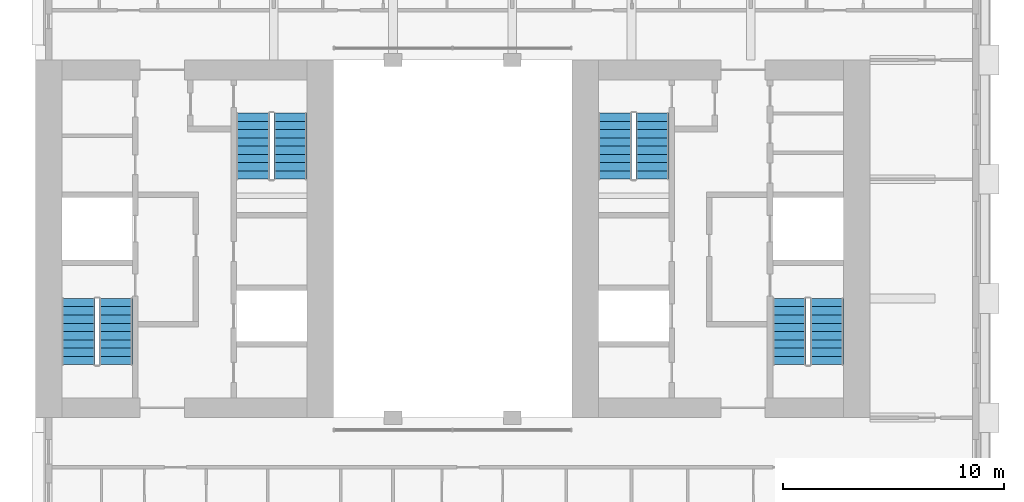
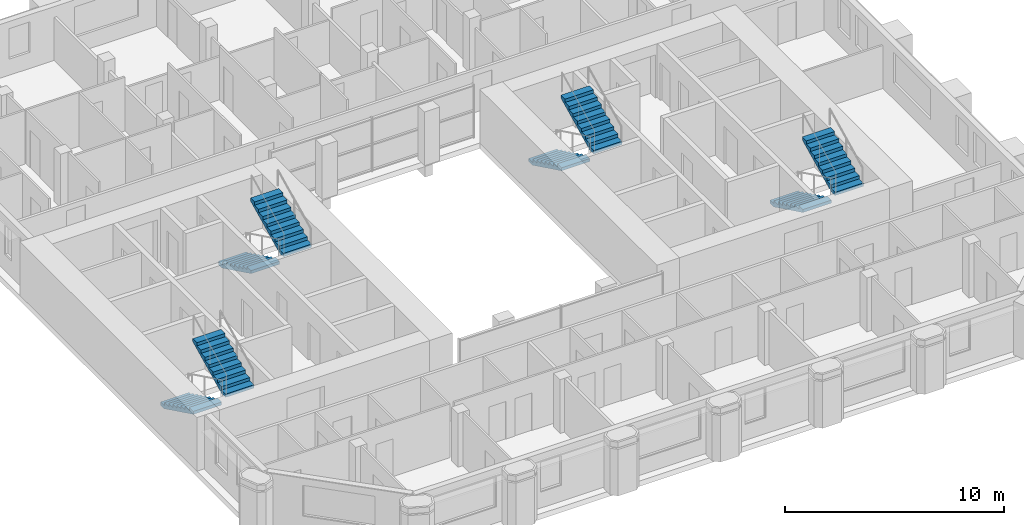
# One storey, part 10 of 13: 8 stair flights, 4 elements without a shape of their own.
"""IFC4 building model written with IfcOpenShell, lengths in metres."""

from ifc_helpers import new_model, si_unit, direction, frame, origin, place, context, subcontext, project, spatial, polyline, outline, extrude, material, type_object, element, aggregate, save


model = new_model("IFC4")

# Units and contexts
model_context = context("Model", 3, precision=1e-05, world=origin(), true_north=direction((0.0, 1.0)))
body_context = subcontext(model_context, "Body", "Model", "MODEL_VIEW")
ifc_project = project(units=[si_unit("LENGTHUNIT", "METRE"), si_unit("AREAUNIT", "SQUARE_METRE"), si_unit("VOLUMEUNIT", "CUBIC_METRE"), si_unit("PLANEANGLEUNIT", "RADIAN"), si_unit("MASSUNIT", "GRAM", prefix="KILO")], contexts=[model_context])

# Site, building, storey
site_placement = place(None, origin())
site = spatial("IfcSite", under=ifc_project, at=site_placement, CompositionType="ELEMENT")
building_placement = place(site_placement, origin())
building = spatial("IfcBuilding", under=site, at=building_placement, Name="Tabaq Tower and Sports Hall", CompositionType="ELEMENT")
storey_placement = place(building_placement, frame((0.0, 0.0, 295.0)))
storey = spatial("IfcBuildingStorey", under=building, at=storey_placement, Name="L73", CompositionType="ELEMENT", Elevation=295.0)

# Stair, stair flights
ifc_material_1 = material(Name="Concrete C40/50", Category="concrete")
stair_type = type_object("IfcStairType", Name="Exit stair", PredefinedType="HALF_TURN_STAIR", material=ifc_material_1)
stair_1_placement = place(storey_placement, origin())
stair_1 = element("IfcStair", 1, at=stair_1_placement, inside=storey, type_object=stair_type, Name="L73 Exit stair ST1", PredefinedType="HALF_TURN_STAIR")
ifc_material_2 = material(Name="Concrete C40/50", Category="concrete")
stair_flight_type = type_object("IfcStairFlightType", Name="Exit stair flight", PredefinedType="STRAIGHT", material=ifc_material_2)
stair_flight_1_placement = place(storey_placement, frame((7.35009765625, 21.60009765625, 0.0), z_axis=(0.0, 0.0, 1.0), x_axis=(0.0, -1.0, 0.0)))
stair_flight_1 = element("IfcStairFlight", 2, at=stair_flight_1_placement, type_object=stair_flight_type, Name="ST1 flight 1", NumberOfRisers=9, NumberOfTreads=8, PredefinedType="STRAIGHT", RiserHeight=0.183333333, TreadLength=0.375, context=body_context, shape_type="SweptSolid", body=[
    extrude(outline(polyline([(0.0, 0.0), (0.0, 0.183349609375), (0.375, 0.183349609375), (0.375, 0.36669921875), (0.75, 0.36669921875), (0.75, 0.550048828125), (1.125, 0.550048828125), (1.125, 0.7333984375), (1.5, 0.7333984375), (1.5, 0.916748046875), (1.875, 0.916748046875), (1.875, 1.10009765625), (2.25, 1.10009765625), (2.25, 1.283447265625), (2.625, 1.283447265625), (2.625, 1.466552734375), (3.0, 1.466552734375), (3.0, 1.64990234375), (3.0, 1.2998046875), (0.34130859375, 0.0), (0.0, 0.0)])), frame((0.0, 0.75, 0.0), z_axis=(0.0, -1.0, 0.0), x_axis=(1.0, 0.0, 0.0)), (0.0, 0.0, 1.0), 1.5),
])
stair_flight_2_placement = place(storey_placement, frame((9.050048828125, 18.60009765625, 1.64990234375), z_axis=(0.0, 0.0, 1.0), x_axis=(0.0, 1.0, 0.0)))
stair_flight_2 = element("IfcStairFlight", 3, at=stair_flight_2_placement, type_object=stair_flight_type, Name="ST1 flight 2", NumberOfRisers=9, NumberOfTreads=8, PredefinedType="STRAIGHT", RiserHeight=0.183333333, TreadLength=0.375, context=body_context, shape_type="SweptSolid", body=[
    extrude(outline(polyline([(0.0, 0.0), (0.0, 0.183349609375), (0.375, 0.183349609375), (0.375, 0.36669921875), (0.75, 0.36669921875), (0.75, 0.550048828125), (1.125, 0.550048828125), (1.125, 0.7333984375), (1.5, 0.7333984375), (1.5, 0.916748046875), (1.875, 0.916748046875), (1.875, 1.10009765625), (2.25, 1.10009765625), (2.25, 1.283447265625), (2.625, 1.283447265625), (2.625, 1.466552734375), (3.0, 1.466552734375), (3.0, 1.64990234375), (3.0, 1.2998046875), (0.34130859375, 0.0), (0.0, 0.0)])), frame((0.0, 0.75, 0.0), z_axis=(0.0, -1.0, 0.0), x_axis=(1.0, 0.0, 0.0)), (0.0, 0.0, 1.0), 1.5),
])
aggregate(stair_1, [stair_flight_1, stair_flight_2])

stair_2_placement = place(storey_placement, origin())
stair_2 = element("IfcStair", 4, at=stair_2_placement, inside=storey, type_object=stair_type, Name="L73 Exit stair ST2", PredefinedType="HALF_TURN_STAIR")
stair_flight_3_placement = place(storey_placement, frame((15.25, 30.0, 0.0), z_axis=(0.0, 0.0, 1.0), x_axis=(0.0, -1.0, 0.0)))
stair_flight_3 = element("IfcStairFlight", 5, at=stair_flight_3_placement, type_object=stair_flight_type, Name="ST2 flight 1", NumberOfRisers=9, NumberOfTreads=8, PredefinedType="STRAIGHT", RiserHeight=0.183333333, TreadLength=0.375, context=body_context, shape_type="SweptSolid", body=[
    extrude(outline(polyline([(0.0, 0.0), (0.0, 0.183349609375), (0.375, 0.183349609375), (0.375, 0.36669921875), (0.75, 0.36669921875), (0.75, 0.550048828125), (1.125, 0.550048828125), (1.125, 0.7333984375), (1.5, 0.7333984375), (1.5, 0.916748046875), (1.875, 0.916748046875), (1.875, 1.10009765625), (2.25, 1.10009765625), (2.25, 1.283447265625), (2.625, 1.283447265625), (2.625, 1.466552734375), (3.0, 1.466552734375), (3.0, 1.64990234375), (3.0, 1.2998046875), (0.34130859375, 0.0), (0.0, 0.0)])), frame((0.0, 0.75, 0.0), z_axis=(0.0, -1.0, 0.0), x_axis=(1.0, 0.0, 0.0)), (0.0, 0.0, 1.0), 1.5),
])
stair_flight_4_placement = place(storey_placement, frame((16.949951171875, 27.0, 1.64990234375), z_axis=(0.0, 0.0, 1.0), x_axis=(0.0, 1.0, 0.0)))
stair_flight_4 = element("IfcStairFlight", 6, at=stair_flight_4_placement, type_object=stair_flight_type, Name="ST2 flight 2", NumberOfRisers=9, NumberOfTreads=8, PredefinedType="STRAIGHT", RiserHeight=0.183333333, TreadLength=0.375, context=body_context, shape_type="SweptSolid", body=[
    extrude(outline(polyline([(0.0, 0.0), (0.0, 0.183349609375), (0.375, 0.183349609375), (0.375, 0.36669921875), (0.75, 0.36669921875), (0.75, 0.550048828125), (1.125, 0.550048828125), (1.125, 0.7333984375), (1.5, 0.7333984375), (1.5, 0.916748046875), (1.875, 0.916748046875), (1.875, 1.10009765625), (2.25, 1.10009765625), (2.25, 1.283447265625), (2.625, 1.283447265625), (2.625, 1.466552734375), (3.0, 1.466552734375), (3.0, 1.64990234375), (3.0, 1.2998046875), (0.34130859375, 0.0), (0.0, 0.0)])), frame((0.0, 0.75, 0.0), z_axis=(0.0, -1.0, 0.0), x_axis=(1.0, 0.0, 0.0)), (0.0, 0.0, 1.0), 1.5),
])
aggregate(stair_2, [stair_flight_3, stair_flight_4])

stair_3_placement = place(storey_placement, origin())
stair_3 = element("IfcStair", 7, at=stair_3_placement, inside=storey, type_object=stair_type, Name="L73 Exit stair ST3", PredefinedType="HALF_TURN_STAIR")
stair_flight_5_placement = place(storey_placement, frame((39.550048828125, 21.60009765625, 0.0), z_axis=(0.0, 0.0, 1.0), x_axis=(0.0, -1.0, 0.0)))
stair_flight_5 = element("IfcStairFlight", 8, at=stair_flight_5_placement, type_object=stair_flight_type, Name="ST3 flight 1", NumberOfRisers=9, NumberOfTreads=8, PredefinedType="STRAIGHT", RiserHeight=0.183333333, TreadLength=0.375, context=body_context, shape_type="SweptSolid", body=[
    extrude(outline(polyline([(0.0, 0.0), (0.0, 0.183349609375), (0.375, 0.183349609375), (0.375, 0.36669921875), (0.75, 0.36669921875), (0.75, 0.550048828125), (1.125, 0.550048828125), (1.125, 0.7333984375), (1.5, 0.7333984375), (1.5, 0.916748046875), (1.875, 0.916748046875), (1.875, 1.10009765625), (2.25, 1.10009765625), (2.25, 1.283447265625), (2.625, 1.283447265625), (2.625, 1.466552734375), (3.0, 1.466552734375), (3.0, 1.64990234375), (3.0, 1.2998046875), (0.34130859375, 0.0), (0.0, 0.0)])), frame((0.0, 0.75, 0.0), z_axis=(0.0, -1.0, 0.0), x_axis=(1.0, 0.0, 0.0)), (0.0, 0.0, 1.0), 1.5),
])
stair_flight_6_placement = place(storey_placement, frame((41.25, 18.60009765625, 1.64990234375), z_axis=(0.0, 0.0, 1.0), x_axis=(0.0, 1.0, 0.0)))
stair_flight_6 = element("IfcStairFlight", 9, at=stair_flight_6_placement, type_object=stair_flight_type, Name="ST3 flight 2", NumberOfRisers=9, NumberOfTreads=8, PredefinedType="STRAIGHT", RiserHeight=0.183333333, TreadLength=0.375, context=body_context, shape_type="SweptSolid", body=[
    extrude(outline(polyline([(0.0, 0.0), (0.0, 0.183349609375), (0.375, 0.183349609375), (0.375, 0.36669921875), (0.75, 0.36669921875), (0.75, 0.550048828125), (1.125, 0.550048828125), (1.125, 0.7333984375), (1.5, 0.7333984375), (1.5, 0.916748046875), (1.875, 0.916748046875), (1.875, 1.10009765625), (2.25, 1.10009765625), (2.25, 1.283447265625), (2.625, 1.283447265625), (2.625, 1.466552734375), (3.0, 1.466552734375), (3.0, 1.64990234375), (3.0, 1.2998046875), (0.34130859375, 0.0), (0.0, 0.0)])), frame((0.0, 0.75, 0.0), z_axis=(0.0, -1.0, 0.0), x_axis=(1.0, 0.0, 0.0)), (0.0, 0.0, 1.0), 1.5),
])
aggregate(stair_3, [stair_flight_5, stair_flight_6])

stair_4_placement = place(storey_placement, origin())
stair_4 = element("IfcStair", 10, at=stair_4_placement, inside=storey, type_object=stair_type, Name="L73 Exit stair ST4", PredefinedType="HALF_TURN_STAIR")
stair_flight_7_placement = place(storey_placement, frame((31.64990234375, 30.0, 0.0), z_axis=(0.0, 0.0, 1.0), x_axis=(0.0, -1.0, 0.0)))
stair_flight_7 = element("IfcStairFlight", 11, at=stair_flight_7_placement, type_object=stair_flight_type, Name="ST4 flight 1", NumberOfRisers=9, NumberOfTreads=8, PredefinedType="STRAIGHT", RiserHeight=0.183333333, TreadLength=0.375, context=body_context, shape_type="SweptSolid", body=[
    extrude(outline(polyline([(0.0, 0.0), (0.0, 0.183349609375), (0.375, 0.183349609375), (0.375, 0.36669921875), (0.75, 0.36669921875), (0.75, 0.550048828125), (1.125, 0.550048828125), (1.125, 0.7333984375), (1.5, 0.7333984375), (1.5, 0.916748046875), (1.875, 0.916748046875), (1.875, 1.10009765625), (2.25, 1.10009765625), (2.25, 1.283447265625), (2.625, 1.283447265625), (2.625, 1.466552734375), (3.0, 1.466552734375), (3.0, 1.64990234375), (3.0, 1.2998046875), (0.34130859375, 0.0), (0.0, 0.0)])), frame((0.0, 0.75, 0.0), z_axis=(0.0, -1.0, 0.0), x_axis=(1.0, 0.0, 0.0)), (0.0, 0.0, 1.0), 1.5),
])
stair_flight_8_placement = place(storey_placement, frame((33.35009765625, 27.0, 1.64990234375), z_axis=(0.0, 0.0, 1.0), x_axis=(0.0, 1.0, 0.0)))
stair_flight_8 = element("IfcStairFlight", 12, at=stair_flight_8_placement, type_object=stair_flight_type, Name="ST4 flight 2", NumberOfRisers=9, NumberOfTreads=8, PredefinedType="STRAIGHT", RiserHeight=0.183333333, TreadLength=0.375, context=body_context, shape_type="SweptSolid", body=[
    extrude(outline(polyline([(0.0, 0.0), (0.0, 0.183349609375), (0.375, 0.183349609375), (0.375, 0.36669921875), (0.75, 0.36669921875), (0.75, 0.550048828125), (1.125, 0.550048828125), (1.125, 0.7333984375), (1.5, 0.7333984375), (1.5, 0.916748046875), (1.875, 0.916748046875), (1.875, 1.10009765625), (2.25, 1.10009765625), (2.25, 1.283447265625), (2.625, 1.283447265625), (2.625, 1.466552734375), (3.0, 1.466552734375), (3.0, 1.64990234375), (3.0, 1.2998046875), (0.34130859375, 0.0), (0.0, 0.0)])), frame((0.0, 0.75, 0.0), z_axis=(0.0, -1.0, 0.0), x_axis=(1.0, 0.0, 0.0)), (0.0, 0.0, 1.0), 1.5),
])
aggregate(stair_4, [stair_flight_7, stair_flight_8])

save(model, "model.ifc")
